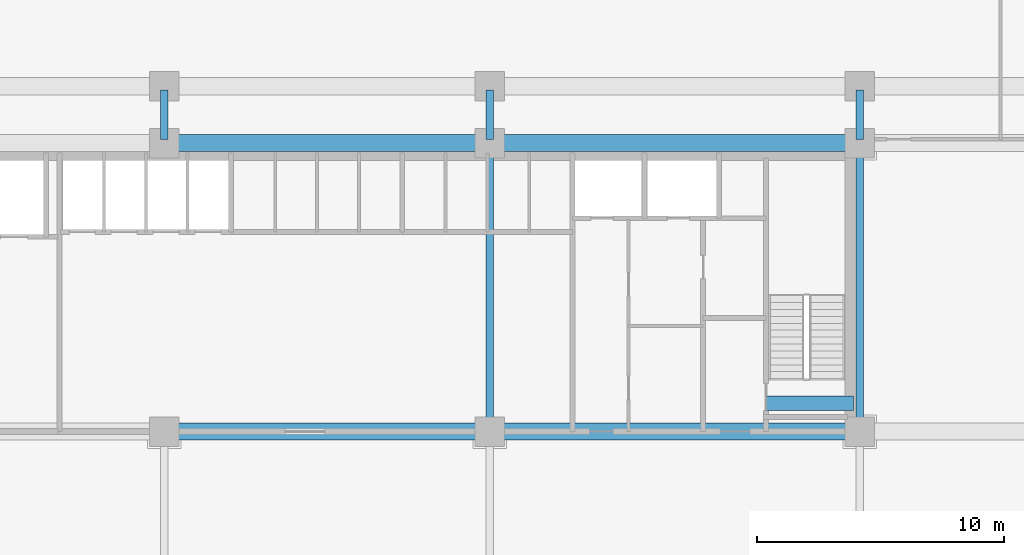
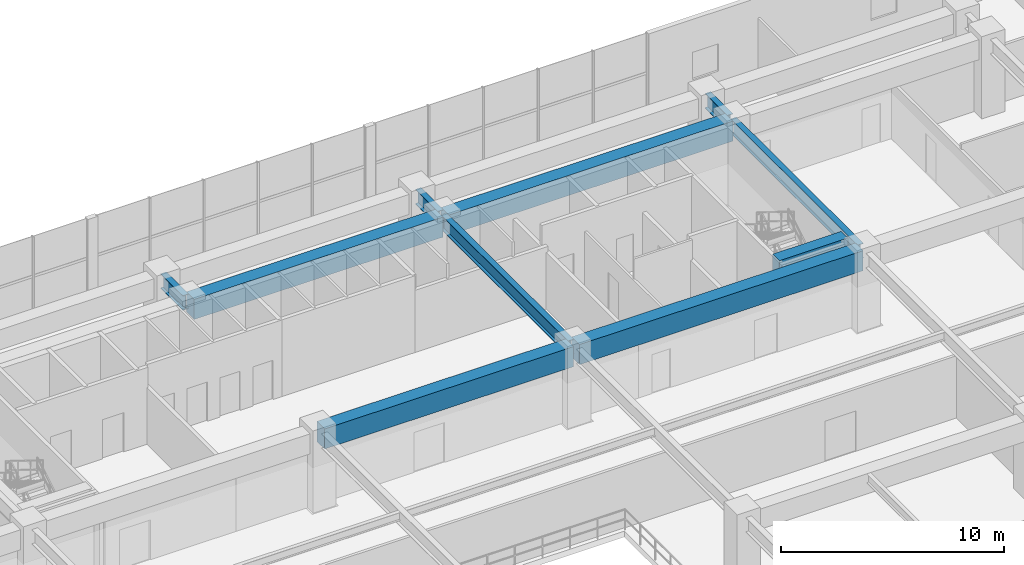
# One storey, part 9 of 24: 10 beams.
"""IFC4 building model written with IfcOpenShell, lengths in metres."""

from ifc_helpers import new_model, si_unit, direction, frame, origin, origin_2d, place, context, subcontext, project, spatial, rectangle, i_section, extrude, source, transform, mapped, material, material_profile, profile_set, type_object, element, save


model = new_model("IFC4")

# Units and contexts
model_context = context("Model", 3, precision=1e-05, world=origin(), true_north=direction((0.0, 1.0)))
body_context = subcontext(model_context, "Body", "Model", "MODEL_VIEW")
ifc_project = project(units=[si_unit("LENGTHUNIT", "METRE"), si_unit("AREAUNIT", "SQUARE_METRE"), si_unit("VOLUMEUNIT", "CUBIC_METRE"), si_unit("PLANEANGLEUNIT", "RADIAN"), si_unit("MASSUNIT", "GRAM", prefix="KILO")], contexts=[model_context])

# Site, building, storey
site_placement = place(None, origin())
site = spatial("IfcSite", under=ifc_project, at=site_placement, CompositionType="ELEMENT")
building_placement = place(site_placement, origin())
building = spatial("IfcBuilding", under=site, at=building_placement, Name="Trelvane Seafront Commons", CompositionType="ELEMENT")
storey_placement = place(building_placement, frame((0.0, 0.0, 5.199951171875)))
storey = spatial("IfcBuildingStorey", under=building, at=storey_placement, Name="L01", CompositionType="ELEMENT", Elevation=5.199951171875)

# Beams
ifc_material_1 = material(Name="Concrete C60/75", Category="concrete")
ifc_material_profile_1 = material_profile(ifc_material_1, rectangle(XDim=0.60009765625, YDim=0.89990234375, at=origin_2d()), Name="RC-600x900")
ifc_profile_set_1 = profile_set([ifc_material_profile_1], Name="Concrete C60/75")
beam_type_1 = type_object("IfcBeamType", Name="STR-LNT-RC600x900", PredefinedType="LINTEL", material=ifc_profile_set_1)
shared_shape_1 = source(origin(), body_context, "Body", "SweptSolid", [
    extrude(rectangle(XDim=0.60009765625, YDim=0.89990234375, at=origin_2d()), origin(), (0.0, 0.0, 1.0), 3.550048828125),
])
beam_placement = place(storey_placement, frame((55.0, 34.550048828125, 3.75), z_axis=(1.0, 0.0, 0.0), x_axis=(0.0, 1.0, 0.0)))
element("IfcBeam", 1, at=beam_placement, inside=storey, type_object=beam_type_1, Name="L01 Core Coupling Lintel Beam CB-72", PredefinedType="LINTEL", context=body_context, shape_type="MappedRepresentation", body=[
    mapped(shared_shape_1, transform((0.0, 0.0, 0.0), x_axis=(1.0, 0.0, 0.0), y_axis=(0.0, 1.0, 0.0), z_axis=(0.0, 0.0, 1.0), scale=1.0)),
])
ifc_material_2 = material(Name="Concrete C50/60", Category="concrete")
ifc_material_profile_2 = material_profile(ifc_material_2, rectangle(XDim=0.699951171875, YDim=1.10009765625, at=origin_2d()), Name="RC-700x1100")
ifc_profile_set_2 = profile_set([ifc_material_profile_2], Name="Concrete C50/60")
beam_type_2 = type_object("IfcBeamType", Name="STR-TBM-RC700x1100", PredefinedType="T_BEAM", material=ifc_profile_set_2)
shared_shape_2 = source(origin(), body_context, "Body", "SweptSolid", [
    extrude(rectangle(XDim=0.699951171875, YDim=1.10009765625, at=origin_2d()), origin(), (0.0, 0.0, 1.0), 14.699951171875),
])
for number, where, z_axis, x_axis, name in (
    (2, (43.949951171875, 33.39990234375, 3.650146484375), (1.0, 0.0, 0.0), (0.0, 1.0, 0.0), "L01 Primary Girder G-17"),
    (3, (43.949951171875, 45.10009765625, 3.650146484375), (1.0, 0.0, 0.0), (0.0, 1.0, 0.0), "L01 Primary Girder G-23"),
):
    element("IfcBeam", number, at=place(storey_placement, frame(where, z_axis=z_axis, x_axis=x_axis)), inside=storey, type_object=beam_type_2, Name=name, PredefinedType="T_BEAM", context=body_context, shape_type="MappedRepresentation", body=[
        mapped(shared_shape_2, transform((0.0, 0.0, 0.0), x_axis=(1.0, 0.0, 0.0), y_axis=(0.0, 1.0, 0.0), z_axis=(0.0, 0.0, 1.0), scale=1.0)),
    ])
shared_shape_3 = source(origin(), body_context, "Body", "SweptSolid", [
    extrude(rectangle(XDim=0.699951171875, YDim=1.10009765625, at=origin_2d()), origin(), (0.0, 0.0, 1.0), 12.89990234375),
])
for number, where, z_axis, x_axis, name in (
    (4, (30.75, 33.39990234375, 3.650146484375), (1.0, 0.0, 0.0), (0.0, 1.0, 0.0), "L01 Primary Girder G-16"),
    (5, (30.75, 45.10009765625, 3.650146484375), (1.0, 0.0, 0.0), (0.0, 1.0, 0.0), "L01 Primary Girder G-22"),
):
    element("IfcBeam", number, at=place(storey_placement, frame(where, z_axis=z_axis, x_axis=x_axis)), inside=storey, type_object=beam_type_2, Name=name, PredefinedType="T_BEAM", context=body_context, shape_type="MappedRepresentation", body=[
        mapped(shared_shape_3, transform((0.0, 0.0, 0.0), x_axis=(1.0, 0.0, 0.0), y_axis=(0.0, 1.0, 0.0), z_axis=(0.0, 0.0, 1.0), scale=1.0)),
    ])
ifc_material_3 = material(Name="Steel SM355 (S355)", Category="steel")
ifc_material_profile_3 = material_profile(ifc_material_3, i_section(OverallWidth=0.300048828125, OverallDepth=0.800048828125, WebThickness=0.013916015625, FlangeThickness=0.02587890625, at=origin_2d()), Name="H-800x300x14x26")
ifc_profile_set_3 = profile_set([ifc_material_profile_3], Name="Steel SM355 (S355)")
beam_type_3 = type_object("IfcBeamType", Name="STR-BM-H800", PredefinedType="BEAM", material=ifc_profile_set_3)
shared_shape_4 = source(origin(), body_context, "Body", "SweptSolid", [
    extrude(i_section(OverallWidth=0.300048828125, OverallDepth=0.800048828125, WebThickness=0.013916015625, FlangeThickness=0.02587890625, at=origin_2d()), origin(), (0.0, 0.0, 1.0), 11.39990234375),
])
for number, where, z_axis, x_axis, name in (
    (6, (43.800048828125, 33.550048828125, 3.800048828125), (0.0, 1.0, 0.0), (-1.0, 0.0, 0.0), "L01 Primary Girder G-49"),
    (7, (58.800048828125, 33.550048828125, 3.800048828125), (0.0, 1.0, 0.0), (-1.0, 0.0, 0.0), "L01 Primary Girder G-53"),
):
    element("IfcBeam", number, at=place(storey_placement, frame(where, z_axis=z_axis, x_axis=x_axis)), inside=storey, type_object=beam_type_3, Name=name, PredefinedType="BEAM", context=body_context, shape_type="MappedRepresentation", body=[
        mapped(shared_shape_4, transform((0.0, 0.0, 0.0), x_axis=(1.0, 0.0, 0.0), y_axis=(0.0, 1.0, 0.0), z_axis=(0.0, 0.0, 1.0), scale=1.0)),
    ])
shared_shape_5 = source(origin(), body_context, "Body", "SweptSolid", [
    extrude(i_section(OverallWidth=0.300048828125, OverallDepth=0.800048828125, WebThickness=0.013916015625, FlangeThickness=0.02587890625, at=origin_2d()), origin(), (0.0, 0.0, 1.0), 2.0),
])
for number, where, z_axis, x_axis, name in (
    (8, (30.60009765625, 45.25, 3.800048828125), (0.0, 1.0, 0.0), (-1.0, 0.0, 0.0), "L01 Primary Girder G-46"),
    (9, (43.800048828125, 45.25, 3.800048828125), (0.0, 1.0, 0.0), (-1.0, 0.0, 0.0), "L01 Primary Girder G-50"),
    (10, (58.800048828125, 45.25, 3.800048828125), (0.0, 1.0, 0.0), (-1.0, 0.0, 0.0), "L01 Primary Girder G-54"),
):
    element("IfcBeam", number, at=place(storey_placement, frame(where, z_axis=z_axis, x_axis=x_axis)), inside=storey, type_object=beam_type_3, Name=name, PredefinedType="BEAM", context=body_context, shape_type="MappedRepresentation", body=[
        mapped(shared_shape_5, transform((0.0, 0.0, 0.0), x_axis=(1.0, 0.0, 0.0), y_axis=(0.0, 1.0, 0.0), z_axis=(0.0, 0.0, 1.0), scale=1.0)),
    ])

save(model, "model.ifc")
